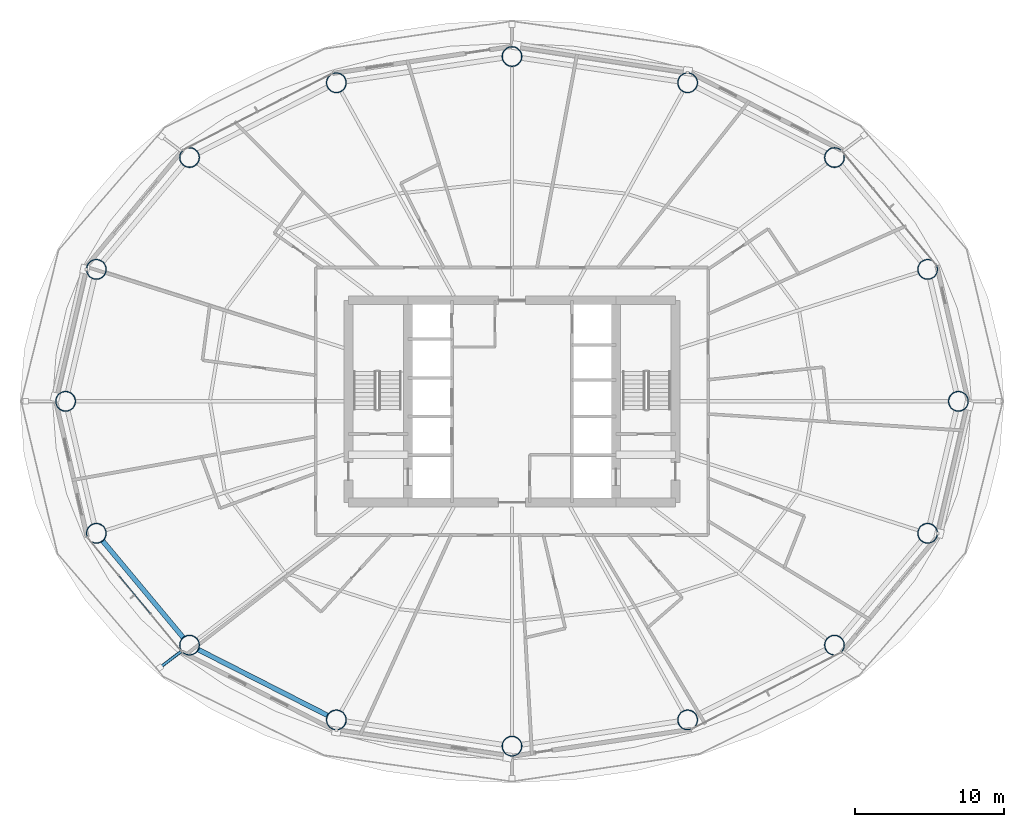
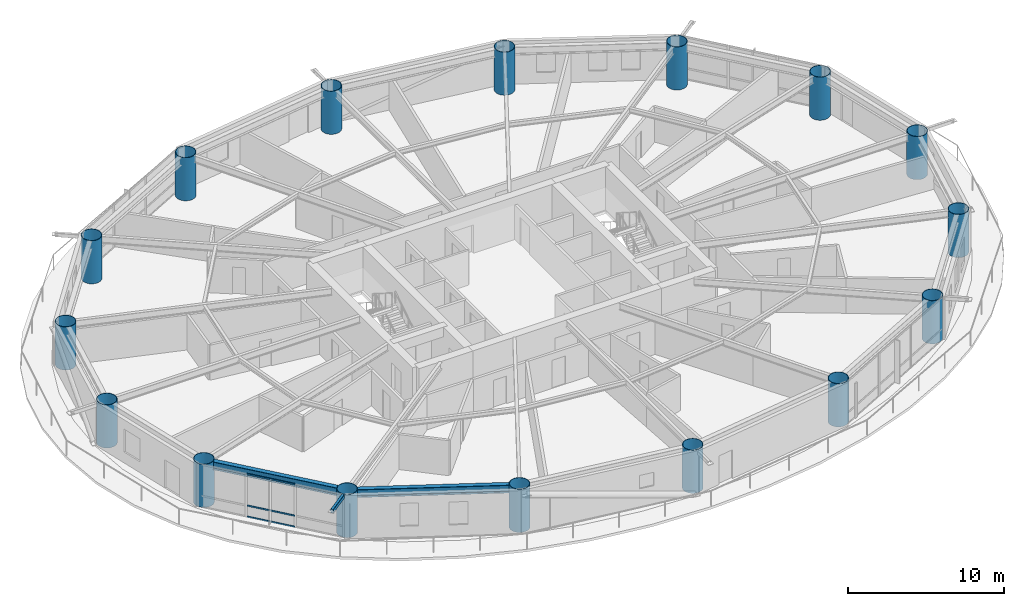
# One storey, part 1 of 26: 16 columns, 4 members, 2 beams, 1 element without a shape of its own.
"""IFC4 building model written with IfcOpenShell, lengths in metres."""

import ifcopenshell
import ifcopenshell.guid

model = None  # the IFC model being written
_history = None  # IfcOwnerHistory: only IFC2X3 demands one
_inside = {}  # id of a spatial element -> (the spatial element, [elements in it])
_under = {}  # id of a project, library or spatial element -> (it, [spatial elements below it])
_declared = {}  # id of a project -> (the project, [libraries it declares])
_typed = {}  # id of a type object -> (the type object, [elements of that type])
_made_of = {}  # id of a material, layer set ... -> (it, [elements and type objects made of it])


def new_model(schema):
    """Start an empty IFC model of exactly this schema.

    Asked for "IFC4X3", IfcOpenShell would pick the latest addendum, in which some entities
    have other attributes; the version numbers below select the first issue.
    IFC2X3 requires an IfcOwnerHistory on every rooted entity: one is made here for all.
    """
    global model, _history
    if schema == "IFC4X3":
        model = ifcopenshell.file(schema_version=(4, 3, 0, 0))
    else:
        model = ifcopenshell.file(schema=schema)
    _inside.clear()
    _under.clear()
    _declared.clear()
    _typed.clear()
    _made_of.clear()
    _history = None
    if model.schema == "IFC2X3":
        org = make("IfcOrganization", Name="unknown")
        user = make(
            "IfcPersonAndOrganization",
            ThePerson=make("IfcPerson", FamilyName="unknown"),
            TheOrganization=org,
        )
        app = make(
            "IfcApplication",
            ApplicationDeveloper=org,
            Version="unknown",
            ApplicationFullName="unknown",
            ApplicationIdentifier="unknown",
        )
        _history = make(
            "IfcOwnerHistory",
            OwningUser=user,
            OwningApplication=app,
            ChangeAction="ADDED",
            CreationDate=0,
        )
    return model


def make(cls, **values):
    """One entity of the class cls with the attributes given. An attribute that is None is left unset."""
    return model.create_entity(
        cls, **{name: value for name, value in values.items() if value is not None}
    )


def rooted(cls, **values):
    """An entity with a GlobalId (a new one), such as an element, a storey or a relation."""
    return make(cls, GlobalId=ifcopenshell.guid.new(), OwnerHistory=_history, **values)


def si_unit(unit_type, name, prefix=None):
    """IfcSIUnit, for example si_unit("LENGTHUNIT", "METRE", prefix="MILLI")."""
    return make("IfcSIUnit", UnitType=unit_type, Prefix=prefix, Name=name)


def assignment(units):
    """IfcUnitAssignment: the units of a project."""
    return None if units is None else make("IfcUnitAssignment", Units=units)


def point(xyz):
    """IfcCartesianPoint."""
    return None if xyz is None else make("IfcCartesianPoint", Coordinates=xyz)


def direction(xyz):
    """IfcDirection."""
    return None if xyz is None else make("IfcDirection", DirectionRatios=xyz)


def frame(location, z_axis=None, x_axis=None):
    """IfcAxis2Placement3D, a coordinate frame: its origin and axes. An axis left out is left unset."""
    return make(
        "IfcAxis2Placement3D",
        Location=point(location),
        Axis=direction(z_axis),
        RefDirection=direction(x_axis),
    )


def frame_2d(location, x_axis=None):
    """IfcAxis2Placement2D, a coordinate frame in the plane: its origin and x axis."""
    return make(
        "IfcAxis2Placement2D", Location=point(location), RefDirection=direction(x_axis)
    )


def origin():
    """The frame at (0, 0, 0) with its axes left unset."""
    return frame((0.0, 0.0, 0.0))


def origin_2d():
    """The frame at (0, 0) in the plane with its x axis left unset."""
    return frame_2d((0.0, 0.0))


def place(relative_to, where):
    """IfcLocalPlacement: puts the frame where relative to a parent placement (None: the world)."""
    return make(
        "IfcLocalPlacement", PlacementRelTo=relative_to, RelativePlacement=where
    )


def context(
    kind, dimensions, precision=None, world=None, true_north=None, identifier=None
):
    """IfcGeometricRepresentationContext, for example the 3D "Model" context."""
    return make(
        "IfcGeometricRepresentationContext",
        ContextIdentifier=identifier,
        ContextType=kind,
        CoordinateSpaceDimension=dimensions,
        Precision=precision,
        WorldCoordinateSystem=world,
        TrueNorth=true_north,
    )


def subcontext(parent, identifier, kind, view, scale=None):
    """IfcGeometricRepresentationSubContext, for example "Body" below "Model"."""
    return make(
        "IfcGeometricRepresentationSubContext",
        ContextIdentifier=identifier,
        ContextType=kind,
        ParentContext=parent,
        TargetScale=scale,
        TargetView=view,
    )


def project(units=None, contexts=None):
    """IfcProject with its units and contexts."""
    return rooted(
        "IfcProject",
        Name="project",
        RepresentationContexts=contexts,
        UnitsInContext=assignment(units),
    )


def spatial(cls, under=None, at=None, **own):
    """A site, building, storey or space (cls), placed at a placement, below another one or the project."""
    s = rooted(cls, ObjectPlacement=at, **own)
    if under is not None:
        _under.setdefault(under.id(), (under, []))[1].append(s)
    return s


def profile(cls, at=None, kind="AREA", **sizes):
    """A parametric profile (cls). Its sizes go by their IFC names, for example OverallWidth=200.0."""
    return make(cls, ProfileType=kind, Position=at, **sizes)


def hollow_rectangle(**sizes):
    """IfcRectangleHollowProfileDef."""
    return profile("IfcRectangleHollowProfileDef", **sizes)


def hollow_circle(**sizes):
    """IfcCircleHollowProfileDef."""
    return profile("IfcCircleHollowProfileDef", **sizes)


def i_section(**sizes):
    """IfcIShapeProfileDef."""
    return profile("IfcIShapeProfileDef", **sizes)


def extrude(swept, where, along, depth):
    """IfcExtrudedAreaSolid: the profile swept, set in the frame where, extruded along a direction by depth."""
    return make(
        "IfcExtrudedAreaSolid",
        SweptArea=swept,
        Position=where,
        ExtrudedDirection=direction(along),
        Depth=depth,
    )


def shape(context_of_items, identifier, shape_type, items):
    """IfcShapeRepresentation: the items that make up one representation, for example the "Body"."""
    return make(
        "IfcShapeRepresentation",
        ContextOfItems=context_of_items,
        RepresentationIdentifier=identifier,
        RepresentationType=shape_type,
        Items=items,
    )


def material(Name=None, Category=None):
    """IfcMaterial."""
    return make("IfcMaterial", Name=Name, Category=Category)


def layer(
    of_material, thickness, ventilated=None, Name=None, Category=None, Priority=None
):
    """IfcMaterialLayer: one layer of a wall or slab, of a material (None: an air gap)."""
    return make(
        "IfcMaterialLayer",
        Material=of_material,
        LayerThickness=thickness,
        IsVentilated=ventilated,
        Name=Name,
        Category=Category,
        Priority=Priority,
    )


def layer_set(layers, Name=None):
    """IfcMaterialLayerSet."""
    return make("IfcMaterialLayerSet", MaterialLayers=layers, LayerSetName=Name)


def material_profile(
    of_material, cross_section, Name=None, Category=None, Priority=None
):
    """IfcMaterialProfile: a cross section and its material."""
    return make(
        "IfcMaterialProfile",
        Name=Name,
        Material=of_material,
        Profile=cross_section,
        Priority=Priority,
        Category=Category,
    )


def profile_set(profiles, Name=None, composite=None):
    """IfcMaterialProfileSet."""
    return make(
        "IfcMaterialProfileSet",
        Name=Name,
        MaterialProfiles=profiles,
        CompositeProfile=composite,
    )


def made_of(thing, what):
    """Note that an element or type object is made of a material, layer set ...; save() writes the relation."""
    if what is not None:
        _made_of.setdefault(what.id(), (what, []))[1].append(thing)
    return thing


def type_object(cls, material=None, **own):
    """A type object (cls), such as IfcWallType, which elements share."""
    return made_of(rooted(cls, **own), material)


def element(
    cls,
    number,
    at=None,
    inside=None,
    cuts=None,
    type_object=None,
    material=None,
    context=None,
    identifier="Body",
    shape_type=None,
    held_by="IfcProductDefinitionShape",
    body=None,
    shapes=None,
    **own,
):
    """One element of the class cls, such as IfcWall. Its Tag is "e" and its number.

    at: its placement. inside: the storey or other place that contains it. cuts: it is an
    opening in that element (IfcRelVoidsElement). A single representation is given by context,
    identifier, shape_type and body (its items); several are given by shapes. held_by: the class
    of the entity that holds the representations. save() writes the other relations.
    """
    e = rooted(cls, Tag="e%d" % number, ObjectPlacement=at, **own)
    if body is not None:
        shapes = [shape(context, identifier, shape_type, body)]
    if shapes is not None:
        e.Representation = make(held_by, Representations=shapes)
    if inside is not None:
        _inside.setdefault(inside.id(), (inside, []))[1].append(e)
    if cuts is not None:
        rooted(
            "IfcRelVoidsElement", RelatingBuildingElement=cuts, RelatedOpeningElement=e
        )
    if type_object is not None:
        _typed.setdefault(type_object.id(), (type_object, []))[1].append(e)
    return made_of(e, material)


def aggregate(whole, parts):
    """IfcRelAggregates: a whole, such as a stair, and the parts it consists of."""
    return rooted("IfcRelAggregates", RelatingObject=whole, RelatedObjects=parts)


def save(model, path):
    """Write the relations noted so far, then the file.

    IfcRelAggregates (storeys below a building ...), IfcRelContainedInSpatialStructure (elements
    in a storey), IfcRelDefinesByType, IfcRelAssociatesMaterial and IfcRelDeclares: one each for
    every whole, place, type object, material and project.
    """
    for whole, parts in _under.values():
        aggregate(whole, parts)
    for where, things in _inside.values():
        rooted(
            "IfcRelContainedInSpatialStructure",
            RelatedElements=things,
            RelatingStructure=where,
        )
    for kind, things in _typed.values():
        rooted("IfcRelDefinesByType", RelatedObjects=things, RelatingType=kind)
    for what, things in _made_of.values():
        rooted("IfcRelAssociatesMaterial", RelatedObjects=things, RelatingMaterial=what)
    for by, libraries in _declared.values():
        rooted("IfcRelDeclares", RelatingContext=by, RelatedDefinitions=libraries)
    model.write(path)


model = new_model("IFC4")

# Units and contexts
model_context = context("Model", 3, precision=1e-05, world=origin(), true_north=direction((0.0, 1.0)))
body_context = subcontext(model_context, "Body", "Model", "MODEL_VIEW")
ifc_project = project(units=[si_unit("LENGTHUNIT", "METRE"), si_unit("AREAUNIT", "SQUARE_METRE"), si_unit("VOLUMEUNIT", "CUBIC_METRE"), si_unit("PLANEANGLEUNIT", "RADIAN"), si_unit("MASSUNIT", "GRAM", prefix="KILO")], contexts=[model_context])

# Site, building, storey
site_placement = place(None, origin())
site = spatial("IfcSite", under=ifc_project, at=site_placement, CompositionType="ELEMENT")
building_placement = place(site_placement, origin())
building = spatial("IfcBuilding", under=site, at=building_placement, Name="Sarneth Arch Tower", CompositionType="ELEMENT")
storey_placement = place(building_placement, frame((0.0, 0.0, 49.800048828125)))
storey = spatial("IfcBuildingStorey", under=building, at=storey_placement, Name="L11", CompositionType="ELEMENT", Elevation=49.800048828125)

# Columns
ifc_material_1 = material(Name="Steel S355", Category="steel")
ifc_material_profile_1 = material_profile(ifc_material_1, hollow_circle(Radius=0.675048828125, WallThickness=0.035888671875, at=origin_2d()), Name="CHS1350x36")
ifc_profile_set_1 = profile_set([ifc_material_profile_1], Name="Steel S355")
column_type = type_object("IfcColumnType", Name="COL-MEGA-1350", PredefinedType="COLUMN", material=ifc_profile_set_1)
for number, where, z_axis, x_axis, name in (
    (1, (78.034912109375, 42.0, 0.0), (0.0, 0.0, 1.0), (1.0, 0.0, 0.0), "L11 Perimeter mega-column M01"),
    (2, (75.965576171875, 50.878173828125, 0.0), (0.0, 0.0, 1.0), (1.0, 0.0, 0.0), "L11 Perimeter mega-column M02"),
    (3, (69.696533203125, 58.40478515625, 0.0), (0.0, 0.0, 1.0), (1.0, 0.0, 0.0), "L11 Perimeter mega-column M03"),
    (4, (59.81787109375, 63.43408203125, 0.0), (0.0, 0.0, 1.0), (1.0, 0.0, 0.0), "L11 Perimeter mega-column M04"),
    (5, (48.0, 65.199951171875, 0.0), (0.0, 0.0, 1.0), (1.0, 0.0, 0.0), "L11 Perimeter mega-column M05"),
    (6, (36.18212890625, 63.43408203125, 0.0), (0.0, 0.0, 1.0), (1.0, 0.0, 0.0), "L11 Perimeter mega-column M06"),
    (7, (26.303466796875, 58.40478515625, 0.0), (0.0, 0.0, 1.0), (1.0, 0.0, 0.0), "L11 Perimeter mega-column M07"),
    (8, (20.034423828125, 50.878173828125, 0.0), (0.0, 0.0, 1.0), (1.0, 0.0, 0.0), "L11 Perimeter mega-column M08"),
    (9, (17.965087890625, 42.0, 0.0), (0.0, 0.0, 1.0), (1.0, 0.0, 0.0), "L11 Perimeter mega-column M09"),
    (10, (20.034423828125, 33.121826171875, 0.0), (0.0, 0.0, 1.0), (1.0, 0.0, 0.0), "L11 Perimeter mega-column M10"),
    (11, (26.303466796875, 25.59521484375, 0.0), (0.0, 0.0, 1.0), (1.0, 0.0, 0.0), "L11 Perimeter mega-column M11"),
    (12, (36.18212890625, 20.56591796875, 0.0), (0.0, 0.0, 1.0), (1.0, 0.0, 0.0), "L11 Perimeter mega-column M12"),
    (13, (48.0, 18.800048828125, 0.0), (0.0, 0.0, 1.0), (1.0, 0.0, 0.0), "L11 Perimeter mega-column M13"),
    (14, (59.81787109375, 20.56591796875, 0.0), (0.0, 0.0, 1.0), (1.0, 0.0, 0.0), "L11 Perimeter mega-column M14"),
    (15, (69.696533203125, 25.59521484375, 0.0), (0.0, 0.0, 1.0), (1.0, 0.0, 0.0), "L11 Perimeter mega-column M15"),
    (16, (75.965576171875, 33.121826171875, 0.0), (0.0, 0.0, 1.0), (1.0, 0.0, 0.0), "L11 Perimeter mega-column M16"),
):
    element("IfcColumn", number, at=place(storey_placement, frame(where, z_axis=z_axis, x_axis=x_axis)), inside=storey, type_object=column_type, Name=name, PredefinedType="COLUMN", context=body_context, shape_type="SweptSolid", body=[
        extrude(hollow_circle(Radius=0.675048828125, WallThickness=0.035888671875, at=origin_2d()), origin(), (0.0, 0.0, 1.0), 3.3798828125),
    ])

# Beams
ifc_material_2 = material(Name="Steel S355", Category="steel")
ifc_material_profile_2 = material_profile(ifc_material_2, i_section(OverallWidth=0.326904296875, OverallDepth=0.6220703125, WebThickness=0.015380859375, FlangeThickness=0.0244140625, FilletRadius=0.01904296875, at=origin_2d()), Name="W610x195")
ifc_profile_set_2 = profile_set([ifc_material_profile_2], Name="Steel S355")
beam_type = type_object("IfcBeamType", Name="BM-SPAN-610A", PredefinedType="SPANDREL", material=ifc_profile_set_2)
beam_1_placement = place(storey_placement, frame((20.466552734375, 32.60302734375, 3.06884765625), z_axis=(0.639979646835, -0.768391860731, 0.0), x_axis=(0.768391860731, 0.639979646835, 0.0)))
element("IfcBeam", 17, at=beam_1_placement, inside=storey, type_object=beam_type, Name="L11 Perimeter spandrel beam 10", PredefinedType="SPANDREL", context=body_context, shape_type="SweptSolid", body=[
    extrude(i_section(OverallWidth=0.326904296875, OverallDepth=0.6220703125, WebThickness=0.015380859375, FlangeThickness=0.0244140625, FilletRadius=0.01904296875, at=origin_2d()), origin(), (0.0, 0.0, 1.0), 8.4453125),
])
beam_2_placement = place(storey_placement, frame((26.90478515625, 25.288818359375, 3.06884765625), z_axis=(0.8911738076, -0.453662037919, 0.0), x_axis=(0.453662037919, 0.8911738076, 0.0)))
element("IfcBeam", 18, at=beam_2_placement, inside=storey, type_object=beam_type, Name="L11 Perimeter spandrel beam 11", PredefinedType="SPANDREL", context=body_context, shape_type="SweptSolid", body=[
    extrude(i_section(OverallWidth=0.326904296875, OverallDepth=0.6220703125, WebThickness=0.015380859375, FlangeThickness=0.0244140625, FilletRadius=0.01904296875, at=origin_2d()), origin(), (0.0, 0.0, 1.0), 9.735107421875),
])

# Curtain wall, members
ifc_material_3 = material(Name="Anodised aluminium Type AA25 and solar-control low-e laminated IGU", Category="aluminium")
ifc_layer = layer(ifc_material_3, 0.159912109375)
ifc_layer_set = layer_set([ifc_layer], Name="Anodised aluminium Type AA25 and solar-control low-e laminated IGU")
curtain_wall_type = type_object("IfcCurtainWallType", Name="CW-HOTEL-LOW", PredefinedType="NOTDEFINED", material=ifc_layer_set)
curtain_wall_placement = place(storey_placement, origin())
curtain_wall = element("IfcCurtainWall", 19, at=curtain_wall_placement, inside=storey, type_object=curtain_wall_type, Name="L11 Unitised curtain wall facet 10", PredefinedType="NOTDEFINED")
ifc_material_4 = material(Name="Anodised Aluminium 6063-T6", Category="aluminium")
ifc_material_profile_3 = material_profile(ifc_material_4, hollow_rectangle(XDim=0.06005859375, YDim=0.1201171875, WallThickness=0.00390625, at=origin_2d()), Name="AL-TRAN-120x60x4")
ifc_profile_set_3 = profile_set([ifc_material_profile_3], Name="Anodised Aluminium 6063-T6")
member_type_1 = type_object("IfcMemberType", Name="CW-TRANSOM", PredefinedType="USERDEFINED", material=ifc_profile_set_3)
member_1_placement = place(storey_placement, frame((21.57373046875, 30.256103515625, 0.030029296875), z_axis=(0.637268595771, -0.770641769465, 0.0), x_axis=(0.770641769465, 0.637268595771, 0.0)))
member_1 = element("IfcMember", 20, at=member_1_placement, type_object=member_type_1, Name="CW-SYS-3 transom 2.1", ObjectType="TRANSOM", PredefinedType="USERDEFINED", context=body_context, shape_type="SweptSolid", body=[
    extrude(hollow_rectangle(XDim=0.06005859375, YDim=0.1201171875, WallThickness=0.00390625, at=origin_2d()), origin(), (0.0, 0.0, 1.0), 3.291259765625),
])
member_2_placement = place(storey_placement, frame((21.57373046875, 30.256103515625, 0.89990234375), z_axis=(0.637268595771, -0.770641769465, 0.0), x_axis=(0.770641769465, 0.637268595771, 0.0)))
member_2 = element("IfcMember", 21, at=member_2_placement, type_object=member_type_1, Name="CW-SYS-3 transom 2.2", ObjectType="TRANSOM", PredefinedType="USERDEFINED", context=body_context, shape_type="SweptSolid", body=[
    extrude(hollow_rectangle(XDim=0.06005859375, YDim=0.1201171875, WallThickness=0.00390625, at=origin_2d()), origin(), (0.0, 0.0, 1.0), 3.291259765625),
])
member_3_placement = place(storey_placement, frame((21.57373046875, 30.256103515625, 3.349853515625), z_axis=(0.637268595771, -0.770641769465, 0.0), x_axis=(0.770641769465, 0.637268595771, 0.0)))
member_3 = element("IfcMember", 22, at=member_3_placement, type_object=member_type_1, Name="CW-SYS-3 transom 2.3", ObjectType="TRANSOM", PredefinedType="USERDEFINED", context=body_context, shape_type="SweptSolid", body=[
    extrude(hollow_rectangle(XDim=0.06005859375, YDim=0.1201171875, WallThickness=0.00390625, at=origin_2d()), origin(), (0.0, 0.0, 1.0), 3.291259765625),
])
aggregate(curtain_wall, [member_1, member_2, member_3])

# Member
ifc_material_5 = material(Name="Steel S355", Category="steel")
ifc_material_profile_4 = material_profile(ifc_material_5, hollow_rectangle(XDim=0.199951171875, YDim=0.300048828125, WallThickness=0.012451171875, InnerFilletRadius=0.018798828125, OuterFilletRadius=0.03125, at=origin_2d()), Name="RHS300x200x12.5")
ifc_profile_set_4 = profile_set([ifc_material_profile_4], Name="Steel S355")
member_type_2 = type_object("IfcMemberType", Name="MEM-CANT-STRUT", PredefinedType="STRUT", material=ifc_profile_set_4)
member_4_placement = place(storey_placement, frame((25.764892578125, 25.18798828125, 3.219970703125), z_axis=(-0.797687717011, -0.60307073062, 0.0), x_axis=(0.60307073062, -0.797687717011, 0.0)))
element("IfcMember", 23, at=member_4_placement, inside=storey, type_object=member_type_2, Name="L11 Balcony cantilever bracket 11", PredefinedType="STRUT", context=body_context, shape_type="SweptSolid", body=[
    extrude(hollow_rectangle(XDim=0.199951171875, YDim=0.300048828125, WallThickness=0.012451171875, InnerFilletRadius=0.018798828125, OuterFilletRadius=0.03125, at=origin_2d()), origin(), (0.0, 0.0, 1.0), 1.81640625),
])

save(model, "model.ifc")
